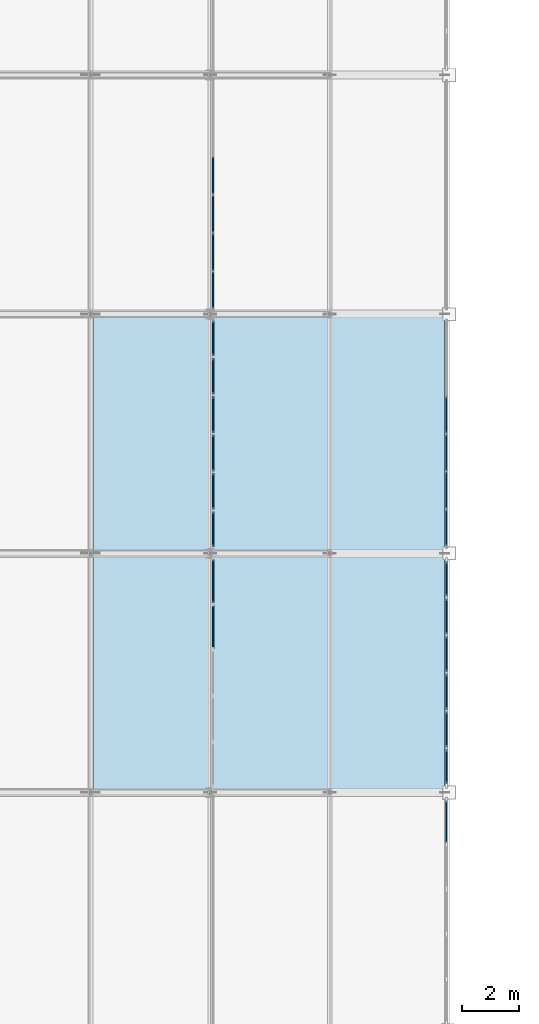
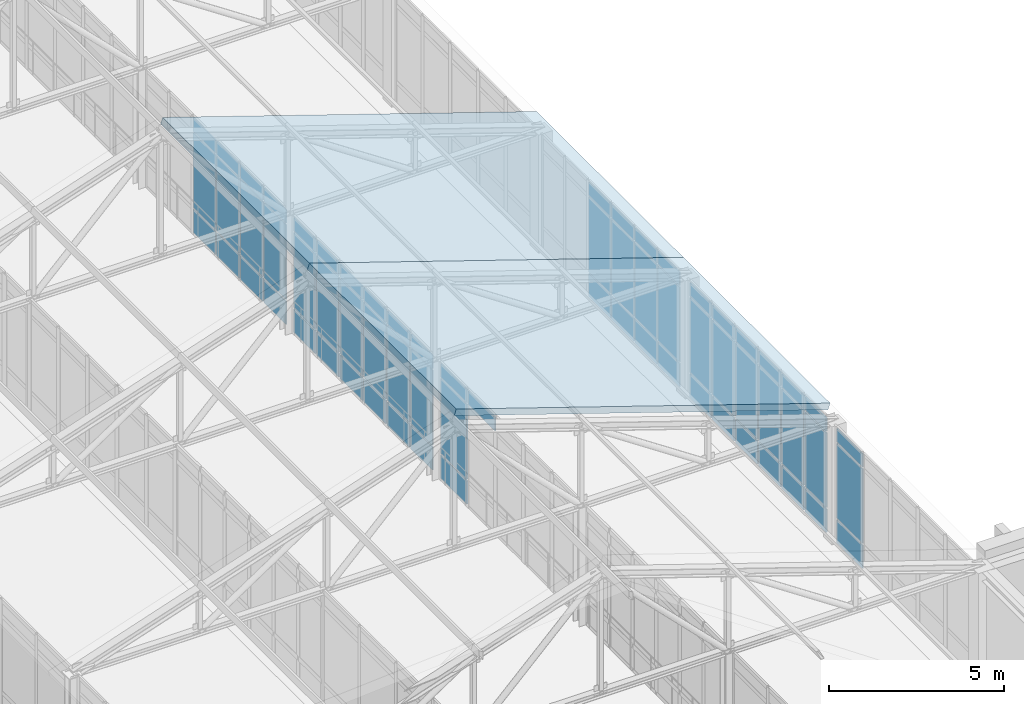
# One storey, part 118 of 192: 67 plates, 2 slabs, 6 elements without a shape of their own.
"""IFC4 building model written with IfcOpenShell, lengths in metres."""

from ifc_helpers import new_model, si_unit, direction, frame, origin, origin_2d, place, context, subcontext, project, spatial, polyline, rectangle, outline, extrude, material, layer, layer_set, type_object, element, aggregate, save


model = new_model("IFC4")

# Units and contexts
model_context = context("Model", 3, precision=1e-05, world=origin(), true_north=direction((0.0, 1.0)))
body_context = subcontext(model_context, "Body", "Model", "MODEL_VIEW")
ifc_project = project(units=[si_unit("LENGTHUNIT", "METRE"), si_unit("AREAUNIT", "SQUARE_METRE"), si_unit("VOLUMEUNIT", "CUBIC_METRE"), si_unit("PLANEANGLEUNIT", "RADIAN"), si_unit("MASSUNIT", "GRAM", prefix="KILO")], contexts=[model_context])

# Site, building, storey
site_placement = place(None, origin())
site = spatial("IfcSite", under=ifc_project, at=site_placement, CompositionType="ELEMENT")
building_placement = place(site_placement, origin())
building = spatial("IfcBuilding", under=site, at=building_placement, Name="Kveldsbrygga Polytechnic", CompositionType="ELEMENT")
storey_placement = place(building_placement, frame((0.0, 0.0, 5.43994140625)))
storey = spatial("IfcBuildingStorey", under=building, at=storey_placement, Name="L01", CompositionType="ELEMENT", Elevation=5.43994140625)

# Curtain wall, plates
ifc_material_1 = material(Name="Anodised aluminium AW-6060", Category="aluminium")
ifc_layer_1 = layer(ifc_material_1, 0.18994140625)
ifc_layer_set_1 = layer_set([ifc_layer_1], Name="Anodised aluminium AW-6060")
curtain_wall_type_1 = type_object("IfcCurtainWallType", Name="CW-REFC-G", PredefinedType="USERDEFINED", material=ifc_layer_set_1)
curtain_wall_1_placement = place(storey_placement, origin())
curtain_wall_1 = element("IfcCurtainWall", 1, at=curtain_wall_1_placement, inside=storey, type_object=curtain_wall_type_1, Name="Curtain Wall CW-L01-Y-09-03", ObjectType="UNITISED CURTAIN WALL", PredefinedType="USERDEFINED")
ifc_material_2 = material(Name="Insulated triple low-E glass", Category="glass")
ifc_layer_2 = layer(ifc_material_2, 0.035888671875)
ifc_layer_set_2 = layer_set([ifc_layer_2], Name="Insulated triple low-E glass")
plate_type_1 = type_object("IfcPlateType", Name="CW-PAN-VIS36", PredefinedType="CURTAIN_PANEL", material=ifc_layer_set_2)
plate_1_placement = place(storey_placement, frame((75.5, 32.564697265625, 0.06005859375), z_axis=(0.0, 0.0, 1.0), x_axis=(0.0, 1.0, 0.0)))
plate_1 = element("IfcPlate", 2, at=plate_1_placement, type_object=plate_type_1, Name="CW-07 panel 5.1", PredefinedType="CURTAIN_PANEL", context=body_context, shape_type="SweptSolid", body=[
    extrude(rectangle(XDim=1.470458984375, YDim=0.035888671875, at=origin_2d()), origin(), (0.0, 0.0, 1.0), 0.81005859375),
])
plate_2_placement = place(storey_placement, frame((75.5, 32.564697265625, 0.93017578125), z_axis=(0.0, 0.0, 1.0), x_axis=(0.0, 1.0, 0.0)))
plate_2 = element("IfcPlate", 3, at=plate_2_placement, type_object=plate_type_1, Name="CW-07 panel 5.2", PredefinedType="CURTAIN_PANEL", context=body_context, shape_type="SweptSolid", body=[
    extrude(rectangle(XDim=1.470458984375, YDim=0.035888671875, at=origin_2d()), origin(), (0.0, 0.0, 1.0), 2.610107421875),
])
plate_3_placement = place(storey_placement, frame((75.5, 32.564697265625, 3.60009765625), z_axis=(0.0, 0.0, 1.0), x_axis=(0.0, 1.0, 0.0)))
plate_3 = element("IfcPlate", 4, at=plate_3_placement, type_object=plate_type_1, Name="CW-07 panel 5.3", PredefinedType="CURTAIN_PANEL", context=body_context, shape_type="SweptSolid", body=[
    extrude(rectangle(XDim=1.470458984375, YDim=0.035888671875, at=origin_2d()), origin(), (0.0, 0.0, 1.0), 0.4599609375),
])
aggregate(curtain_wall_1, [plate_1, plate_2, plate_3])

curtain_wall_2_placement = place(storey_placement, origin())
curtain_wall_2 = element("IfcCurtainWall", 5, at=curtain_wall_2_placement, inside=storey, type_object=curtain_wall_type_1, Name="Curtain Wall CW-L01-Y-08-04", ObjectType="UNITISED CURTAIN WALL", PredefinedType="USERDEFINED")
plate_4_placement = place(storey_placement, frame((67.300048828125, 39.41796875, 3.60009765625), z_axis=(0.0, 0.0, 1.0), x_axis=(0.0, 1.0, 0.0)))
plate_4 = element("IfcPlate", 6, at=plate_4_placement, type_object=plate_type_1, Name="CW-07 panel 4.3", PredefinedType="CURTAIN_PANEL", context=body_context, shape_type="SweptSolid", body=[
    extrude(rectangle(XDim=1.54296875, YDim=0.035888671875, at=origin_2d()), origin(), (0.0, 0.0, 1.0), 0.4599609375),
])
plate_5_placement = place(storey_placement, frame((67.300048828125, 41.017333984375, 0.06005859375), z_axis=(0.0, 0.0, 1.0), x_axis=(0.0, 1.0, 0.0)))
plate_5 = element("IfcPlate", 7, at=plate_5_placement, type_object=plate_type_1, Name="CW-07 panel 5.1", PredefinedType="CURTAIN_PANEL", context=body_context, shape_type="SweptSolid", body=[
    extrude(rectangle(XDim=1.505615234375, YDim=0.035888671875, at=origin_2d()), origin(), (0.0, 0.0, 1.0), 0.81005859375),
])
plate_6_placement = place(storey_placement, frame((67.300048828125, 41.017333984375, 0.93017578125), z_axis=(0.0, 0.0, 1.0), x_axis=(0.0, 1.0, 0.0)))
plate_6 = element("IfcPlate", 8, at=plate_6_placement, type_object=plate_type_1, Name="CW-07 panel 5.2", PredefinedType="CURTAIN_PANEL", context=body_context, shape_type="SweptSolid", body=[
    extrude(rectangle(XDim=1.505615234375, YDim=0.035888671875, at=origin_2d()), origin(), (0.0, 0.0, 1.0), 2.610107421875),
])
plate_7_placement = place(storey_placement, frame((67.300048828125, 41.017333984375, 3.60009765625), z_axis=(0.0, 0.0, 1.0), x_axis=(0.0, 1.0, 0.0)))
plate_7 = element("IfcPlate", 9, at=plate_7_placement, type_object=plate_type_1, Name="CW-07 panel 5.3", PredefinedType="CURTAIN_PANEL", context=body_context, shape_type="SweptSolid", body=[
    extrude(rectangle(XDim=1.505615234375, YDim=0.035888671875, at=origin_2d()), origin(), (0.0, 0.0, 1.0), 0.4599609375),
])
aggregate(curtain_wall_2, [plate_4, plate_5, plate_6, plate_7])

ifc_layer_3 = layer(ifc_material_1, 0.179931640625)
ifc_layer_set_3 = layer_set([ifc_layer_3], Name="Anodised aluminium AW-6060")
curtain_wall_type_2 = type_object("IfcCurtainWallType", Name="CW-CONC-A", PredefinedType="USERDEFINED", material=ifc_layer_set_3)
curtain_wall_3_placement = place(storey_placement, origin())
curtain_wall_3 = element("IfcCurtainWall", 10, at=curtain_wall_3_placement, inside=storey, type_object=curtain_wall_type_2, Name="Curtain Wall CW-L01-Y-09-05", ObjectType="UNITISED CURTAIN WALL", PredefinedType="USERDEFINED")
plate_8_placement = place(storey_placement, frame((75.5, 42.902587890625, 0.06005859375), z_axis=(0.0, 0.0, 1.0), x_axis=(0.0, 1.0, 0.0)))
plate_8 = element("IfcPlate", 11, at=plate_8_placement, type_object=plate_type_1, Name="CW-01 panel 1.1", PredefinedType="CURTAIN_PANEL", context=body_context, shape_type="SweptSolid", body=[
    extrude(rectangle(XDim=1.235107421875, YDim=0.035888671875, at=origin_2d()), origin(), (0.0, 0.0, 1.0), 0.81005859375),
])
plate_9_placement = place(storey_placement, frame((75.5, 42.902587890625, 0.93017578125), z_axis=(0.0, 0.0, 1.0), x_axis=(0.0, 1.0, 0.0)))
plate_9 = element("IfcPlate", 12, at=plate_9_placement, type_object=plate_type_1, Name="CW-01 panel 1.2", PredefinedType="CURTAIN_PANEL", context=body_context, shape_type="SweptSolid", body=[
    extrude(rectangle(XDim=1.235107421875, YDim=0.035888671875, at=origin_2d()), origin(), (0.0, 0.0, 1.0), 2.610107421875),
])
plate_10_placement = place(storey_placement, frame((75.5, 42.902587890625, 3.60009765625), z_axis=(0.0, 0.0, 1.0), x_axis=(0.0, 1.0, 0.0)))
plate_10 = element("IfcPlate", 13, at=plate_10_placement, type_object=plate_type_1, Name="CW-01 panel 1.3", PredefinedType="CURTAIN_PANEL", context=body_context, shape_type="SweptSolid", body=[
    extrude(rectangle(XDim=1.235107421875, YDim=0.035888671875, at=origin_2d()), origin(), (0.0, 0.0, 1.0), 0.4599609375),
])
plate_11_placement = place(storey_placement, frame((75.5, 44.21240234375, 0.06005859375), z_axis=(0.0, 0.0, 1.0), x_axis=(0.0, 1.0, 0.0)))
plate_11 = element("IfcPlate", 14, at=plate_11_placement, type_object=plate_type_1, Name="CW-01 panel 2.1", PredefinedType="CURTAIN_PANEL", context=body_context, shape_type="SweptSolid", body=[
    extrude(rectangle(XDim=1.264892578125, YDim=0.035888671875, at=origin_2d()), origin(), (0.0, 0.0, 1.0), 0.81005859375),
])
plate_12_placement = place(storey_placement, frame((75.5, 44.21240234375, 0.93017578125), z_axis=(0.0, 0.0, 1.0), x_axis=(0.0, 1.0, 0.0)))
plate_12 = element("IfcPlate", 15, at=plate_12_placement, type_object=plate_type_1, Name="CW-01 panel 2.2", PredefinedType="CURTAIN_PANEL", context=body_context, shape_type="SweptSolid", body=[
    extrude(rectangle(XDim=1.264892578125, YDim=0.035888671875, at=origin_2d()), origin(), (0.0, 0.0, 1.0), 2.610107421875),
])
plate_13_placement = place(storey_placement, frame((75.5, 44.21240234375, 3.60009765625), z_axis=(0.0, 0.0, 1.0), x_axis=(0.0, 1.0, 0.0)))
plate_13 = element("IfcPlate", 16, at=plate_13_placement, type_object=plate_type_1, Name="CW-01 panel 2.3", PredefinedType="CURTAIN_PANEL", context=body_context, shape_type="SweptSolid", body=[
    extrude(rectangle(XDim=1.264892578125, YDim=0.035888671875, at=origin_2d()), origin(), (0.0, 0.0, 1.0), 0.4599609375),
])
plate_14_placement = place(storey_placement, frame((75.5, 45.53759765625, 0.06005859375), z_axis=(0.0, 0.0, 1.0), x_axis=(0.0, 1.0, 0.0)))
plate_14 = element("IfcPlate", 17, at=plate_14_placement, type_object=plate_type_1, Name="CW-01 panel 3.1", PredefinedType="CURTAIN_PANEL", context=body_context, shape_type="SweptSolid", body=[
    extrude(rectangle(XDim=1.264892578125, YDim=0.035888671875, at=origin_2d()), origin(), (0.0, 0.0, 1.0), 0.81005859375),
])
plate_15_placement = place(storey_placement, frame((75.5, 45.53759765625, 0.93017578125), z_axis=(0.0, 0.0, 1.0), x_axis=(0.0, 1.0, 0.0)))
plate_15 = element("IfcPlate", 18, at=plate_15_placement, type_object=plate_type_1, Name="CW-01 panel 3.2", PredefinedType="CURTAIN_PANEL", context=body_context, shape_type="SweptSolid", body=[
    extrude(rectangle(XDim=1.264892578125, YDim=0.035888671875, at=origin_2d()), origin(), (0.0, 0.0, 1.0), 2.610107421875),
])
plate_16_placement = place(storey_placement, frame((75.5, 45.53759765625, 3.60009765625), z_axis=(0.0, 0.0, 1.0), x_axis=(0.0, 1.0, 0.0)))
plate_16 = element("IfcPlate", 19, at=plate_16_placement, type_object=plate_type_1, Name="CW-01 panel 3.3", PredefinedType="CURTAIN_PANEL", context=body_context, shape_type="SweptSolid", body=[
    extrude(rectangle(XDim=1.264892578125, YDim=0.035888671875, at=origin_2d()), origin(), (0.0, 0.0, 1.0), 0.4599609375),
])
plate_17_placement = place(storey_placement, frame((75.5, 46.862548828125, 0.06005859375), z_axis=(0.0, 0.0, 1.0), x_axis=(0.0, 1.0, 0.0)))
plate_17 = element("IfcPlate", 20, at=plate_17_placement, type_object=plate_type_1, Name="CW-01 panel 4.1", PredefinedType="CURTAIN_PANEL", context=body_context, shape_type="SweptSolid", body=[
    extrude(rectangle(XDim=1.264892578125, YDim=0.035888671875, at=origin_2d()), origin(), (0.0, 0.0, 1.0), 0.81005859375),
])
plate_18_placement = place(storey_placement, frame((75.5, 46.862548828125, 0.93017578125), z_axis=(0.0, 0.0, 1.0), x_axis=(0.0, 1.0, 0.0)))
plate_18 = element("IfcPlate", 21, at=plate_18_placement, type_object=plate_type_1, Name="CW-01 panel 4.2", PredefinedType="CURTAIN_PANEL", context=body_context, shape_type="SweptSolid", body=[
    extrude(rectangle(XDim=1.264892578125, YDim=0.035888671875, at=origin_2d()), origin(), (0.0, 0.0, 1.0), 2.610107421875),
])
plate_19_placement = place(storey_placement, frame((75.5, 46.862548828125, 3.60009765625), z_axis=(0.0, 0.0, 1.0), x_axis=(0.0, 1.0, 0.0)))
plate_19 = element("IfcPlate", 22, at=plate_19_placement, type_object=plate_type_1, Name="CW-01 panel 4.3", PredefinedType="CURTAIN_PANEL", context=body_context, shape_type="SweptSolid", body=[
    extrude(rectangle(XDim=1.264892578125, YDim=0.035888671875, at=origin_2d()), origin(), (0.0, 0.0, 1.0), 0.4599609375),
])
aggregate(curtain_wall_3, [plate_8, plate_9, plate_10, plate_11, plate_12, plate_13, plate_14, plate_15, plate_16, plate_17, plate_18, plate_19])

curtain_wall_4_placement = place(storey_placement, origin())
curtain_wall_4 = element("IfcCurtainWall", 23, at=curtain_wall_4_placement, inside=storey, type_object=curtain_wall_type_2, Name="Curtain Wall CW-L01-Y-08-06", ObjectType="UNITISED CURTAIN WALL", PredefinedType="USERDEFINED")
plate_20_placement = place(storey_placement, frame((67.300048828125, 51.244140625, 0.06005859375), z_axis=(0.0, 0.0, 1.0), x_axis=(0.0, 1.0, 0.0)))
plate_20 = element("IfcPlate", 24, at=plate_20_placement, type_object=plate_type_1, Name="CW-01 panel 1.1", PredefinedType="CURTAIN_PANEL", context=body_context, shape_type="SweptSolid", body=[
    extrude(rectangle(XDim=1.25830078125, YDim=0.035888671875, at=origin_2d()), origin(), (0.0, 0.0, 1.0), 0.81005859375),
])
plate_21_placement = place(storey_placement, frame((67.300048828125, 51.244140625, 0.93017578125), z_axis=(0.0, 0.0, 1.0), x_axis=(0.0, 1.0, 0.0)))
plate_21 = element("IfcPlate", 25, at=plate_21_placement, type_object=plate_type_1, Name="CW-01 panel 1.2", PredefinedType="CURTAIN_PANEL", context=body_context, shape_type="SweptSolid", body=[
    extrude(rectangle(XDim=1.25830078125, YDim=0.035888671875, at=origin_2d()), origin(), (0.0, 0.0, 1.0), 2.610107421875),
])
plate_22_placement = place(storey_placement, frame((67.300048828125, 51.244140625, 3.60009765625), z_axis=(0.0, 0.0, 1.0), x_axis=(0.0, 1.0, 0.0)))
plate_22 = element("IfcPlate", 26, at=plate_22_placement, type_object=plate_type_1, Name="CW-01 panel 1.3", PredefinedType="CURTAIN_PANEL", context=body_context, shape_type="SweptSolid", body=[
    extrude(rectangle(XDim=1.25830078125, YDim=0.035888671875, at=origin_2d()), origin(), (0.0, 0.0, 1.0), 0.4599609375),
])
plate_23_placement = place(storey_placement, frame((67.300048828125, 52.577392578125, 0.06005859375), z_axis=(0.0, 0.0, 1.0), x_axis=(0.0, 1.0, 0.0)))
plate_23 = element("IfcPlate", 27, at=plate_23_placement, type_object=plate_type_1, Name="CW-01 panel 2.1", PredefinedType="CURTAIN_PANEL", context=body_context, shape_type="SweptSolid", body=[
    extrude(rectangle(XDim=1.288330078125, YDim=0.035888671875, at=origin_2d()), origin(), (0.0, 0.0, 1.0), 0.81005859375),
])
plate_24_placement = place(storey_placement, frame((67.300048828125, 52.577392578125, 0.93017578125), z_axis=(0.0, 0.0, 1.0), x_axis=(0.0, 1.0, 0.0)))
plate_24 = element("IfcPlate", 28, at=plate_24_placement, type_object=plate_type_1, Name="CW-01 panel 2.2", PredefinedType="CURTAIN_PANEL", context=body_context, shape_type="SweptSolid", body=[
    extrude(rectangle(XDim=1.288330078125, YDim=0.035888671875, at=origin_2d()), origin(), (0.0, 0.0, 1.0), 2.610107421875),
])
plate_25_placement = place(storey_placement, frame((67.300048828125, 52.577392578125, 3.60009765625), z_axis=(0.0, 0.0, 1.0), x_axis=(0.0, 1.0, 0.0)))
plate_25 = element("IfcPlate", 29, at=plate_25_placement, type_object=plate_type_1, Name="CW-01 panel 2.3", PredefinedType="CURTAIN_PANEL", context=body_context, shape_type="SweptSolid", body=[
    extrude(rectangle(XDim=1.288330078125, YDim=0.035888671875, at=origin_2d()), origin(), (0.0, 0.0, 1.0), 0.4599609375),
])
plate_26_placement = place(storey_placement, frame((67.300048828125, 53.92578125, 0.06005859375), z_axis=(0.0, 0.0, 1.0), x_axis=(0.0, 1.0, 0.0)))
plate_26 = element("IfcPlate", 30, at=plate_26_placement, type_object=plate_type_1, Name="CW-01 panel 3.1", PredefinedType="CURTAIN_PANEL", context=body_context, shape_type="SweptSolid", body=[
    extrude(rectangle(XDim=1.288330078125, YDim=0.035888671875, at=origin_2d()), origin(), (0.0, 0.0, 1.0), 0.81005859375),
])
plate_27_placement = place(storey_placement, frame((67.300048828125, 53.92578125, 0.93017578125), z_axis=(0.0, 0.0, 1.0), x_axis=(0.0, 1.0, 0.0)))
plate_27 = element("IfcPlate", 31, at=plate_27_placement, type_object=plate_type_1, Name="CW-01 panel 3.2", PredefinedType="CURTAIN_PANEL", context=body_context, shape_type="SweptSolid", body=[
    extrude(rectangle(XDim=1.288330078125, YDim=0.035888671875, at=origin_2d()), origin(), (0.0, 0.0, 1.0), 2.610107421875),
])
plate_28_placement = place(storey_placement, frame((67.300048828125, 53.92578125, 3.60009765625), z_axis=(0.0, 0.0, 1.0), x_axis=(0.0, 1.0, 0.0)))
plate_28 = element("IfcPlate", 32, at=plate_28_placement, type_object=plate_type_1, Name="CW-01 panel 3.3", PredefinedType="CURTAIN_PANEL", context=body_context, shape_type="SweptSolid", body=[
    extrude(rectangle(XDim=1.288330078125, YDim=0.035888671875, at=origin_2d()), origin(), (0.0, 0.0, 1.0), 0.4599609375),
])
plate_29_placement = place(storey_placement, frame((67.300048828125, 55.274169921875, 0.06005859375), z_axis=(0.0, 0.0, 1.0), x_axis=(0.0, 1.0, 0.0)))
plate_29 = element("IfcPlate", 33, at=plate_29_placement, type_object=plate_type_1, Name="CW-01 panel 4.1", PredefinedType="CURTAIN_PANEL", context=body_context, shape_type="SweptSolid", body=[
    extrude(rectangle(XDim=1.288330078125, YDim=0.035888671875, at=origin_2d()), origin(), (0.0, 0.0, 1.0), 0.81005859375),
])
plate_30_placement = place(storey_placement, frame((67.300048828125, 55.274169921875, 0.93017578125), z_axis=(0.0, 0.0, 1.0), x_axis=(0.0, 1.0, 0.0)))
plate_30 = element("IfcPlate", 34, at=plate_30_placement, type_object=plate_type_1, Name="CW-01 panel 4.2", PredefinedType="CURTAIN_PANEL", context=body_context, shape_type="SweptSolid", body=[
    extrude(rectangle(XDim=1.288330078125, YDim=0.035888671875, at=origin_2d()), origin(), (0.0, 0.0, 1.0), 2.610107421875),
])
plate_31_placement = place(storey_placement, frame((67.300048828125, 55.274169921875, 3.60009765625), z_axis=(0.0, 0.0, 1.0), x_axis=(0.0, 1.0, 0.0)))
plate_31 = element("IfcPlate", 35, at=plate_31_placement, type_object=plate_type_1, Name="CW-01 panel 4.3", PredefinedType="CURTAIN_PANEL", context=body_context, shape_type="SweptSolid", body=[
    extrude(rectangle(XDim=1.288330078125, YDim=0.035888671875, at=origin_2d()), origin(), (0.0, 0.0, 1.0), 0.4599609375),
])
aggregate(curtain_wall_4, [plate_20, plate_21, plate_22, plate_23, plate_24, plate_25, plate_26, plate_27, plate_28, plate_29, plate_30, plate_31])

ifc_layer_4 = layer(ifc_material_1, 0.2099609375)
ifc_layer_set_4 = layer_set([ifc_layer_4], Name="Anodised aluminium AW-6060")
curtain_wall_type_3 = type_object("IfcCurtainWallType", Name="CW-LIBR-H", PredefinedType="USERDEFINED", material=ifc_layer_set_4)
curtain_wall_5_placement = place(storey_placement, origin())
curtain_wall_5 = element("IfcCurtainWall", 36, at=curtain_wall_5_placement, inside=storey, type_object=curtain_wall_type_3, Name="Curtain Wall CW-L01-Y-09-04", ObjectType="UNITISED CURTAIN WALL", PredefinedType="USERDEFINED")
ifc_layer_5 = layer(ifc_material_2, 0.0419921875)
ifc_layer_set_5 = layer_set([ifc_layer_5], Name="Insulated triple low-E glass")
plate_type_2 = type_object("IfcPlateType", Name="CW-PAN-VIS42", PredefinedType="CURTAIN_PANEL", material=ifc_layer_set_5)
plate_32_placement = place(storey_placement, frame((75.5, 34.50634765625, 0.06005859375), z_axis=(0.0, 0.0, 1.0), x_axis=(0.0, 1.0, 0.0)))
plate_32 = element("IfcPlate", 37, at=plate_32_placement, type_object=plate_type_2, Name="CW-08 panel 1.1", PredefinedType="CURTAIN_PANEL", context=body_context, shape_type="SweptSolid", body=[
    extrude(rectangle(XDim=1.21240234375, YDim=0.0419921875, at=origin_2d()), origin(), (0.0, 0.0, 1.0), 0.81005859375),
])
plate_33_placement = place(storey_placement, frame((75.5, 34.50634765625, 0.93017578125), z_axis=(0.0, 0.0, 1.0), x_axis=(0.0, 1.0, 0.0)))
plate_33 = element("IfcPlate", 38, at=plate_33_placement, type_object=plate_type_2, Name="CW-08 panel 1.2", PredefinedType="CURTAIN_PANEL", context=body_context, shape_type="SweptSolid", body=[
    extrude(rectangle(XDim=1.21240234375, YDim=0.0419921875, at=origin_2d()), origin(), (0.0, 0.0, 1.0), 2.610107421875),
])
plate_34_placement = place(storey_placement, frame((75.5, 34.50634765625, 3.60009765625), z_axis=(0.0, 0.0, 1.0), x_axis=(0.0, 1.0, 0.0)))
plate_34 = element("IfcPlate", 39, at=plate_34_placement, type_object=plate_type_2, Name="CW-08 panel 1.3", PredefinedType="CURTAIN_PANEL", context=body_context, shape_type="SweptSolid", body=[
    extrude(rectangle(XDim=1.21240234375, YDim=0.0419921875, at=origin_2d()), origin(), (0.0, 0.0, 1.0), 0.4599609375),
])
plate_35_placement = place(storey_placement, frame((75.5, 35.8125, 0.06005859375), z_axis=(0.0, 0.0, 1.0), x_axis=(0.0, 1.0, 0.0)))
plate_35 = element("IfcPlate", 40, at=plate_35_placement, type_object=plate_type_2, Name="CW-08 panel 2.1", PredefinedType="CURTAIN_PANEL", context=body_context, shape_type="SweptSolid", body=[
    extrude(rectangle(XDim=1.25, YDim=0.0419921875, at=origin_2d()), origin(), (0.0, 0.0, 1.0), 0.81005859375),
])
plate_36_placement = place(storey_placement, frame((75.5, 35.8125, 0.93017578125), z_axis=(0.0, 0.0, 1.0), x_axis=(0.0, 1.0, 0.0)))
plate_36 = element("IfcPlate", 41, at=plate_36_placement, type_object=plate_type_2, Name="CW-08 panel 2.2", PredefinedType="CURTAIN_PANEL", context=body_context, shape_type="SweptSolid", body=[
    extrude(rectangle(XDim=1.25, YDim=0.0419921875, at=origin_2d()), origin(), (0.0, 0.0, 1.0), 2.610107421875),
])
plate_37_placement = place(storey_placement, frame((75.5, 35.8125, 3.60009765625), z_axis=(0.0, 0.0, 1.0), x_axis=(0.0, 1.0, 0.0)))
plate_37 = element("IfcPlate", 42, at=plate_37_placement, type_object=plate_type_2, Name="CW-08 panel 2.3", PredefinedType="CURTAIN_PANEL", context=body_context, shape_type="SweptSolid", body=[
    extrude(rectangle(XDim=1.25, YDim=0.0419921875, at=origin_2d()), origin(), (0.0, 0.0, 1.0), 0.4599609375),
])
plate_38_placement = place(storey_placement, frame((75.5, 37.137451171875, 0.06005859375), z_axis=(0.0, 0.0, 1.0), x_axis=(0.0, 1.0, 0.0)))
plate_38 = element("IfcPlate", 43, at=plate_38_placement, type_object=plate_type_2, Name="CW-08 panel 3.1", PredefinedType="CURTAIN_PANEL", context=body_context, shape_type="SweptSolid", body=[
    extrude(rectangle(XDim=1.25, YDim=0.0419921875, at=origin_2d()), origin(), (0.0, 0.0, 1.0), 0.81005859375),
])
plate_39_placement = place(storey_placement, frame((75.5, 37.137451171875, 0.93017578125), z_axis=(0.0, 0.0, 1.0), x_axis=(0.0, 1.0, 0.0)))
plate_39 = element("IfcPlate", 44, at=plate_39_placement, type_object=plate_type_2, Name="CW-08 panel 3.2", PredefinedType="CURTAIN_PANEL", context=body_context, shape_type="SweptSolid", body=[
    extrude(rectangle(XDim=1.25, YDim=0.0419921875, at=origin_2d()), origin(), (0.0, 0.0, 1.0), 2.610107421875),
])
plate_40_placement = place(storey_placement, frame((75.5, 37.137451171875, 3.60009765625), z_axis=(0.0, 0.0, 1.0), x_axis=(0.0, 1.0, 0.0)))
plate_40 = element("IfcPlate", 45, at=plate_40_placement, type_object=plate_type_2, Name="CW-08 panel 3.3", PredefinedType="CURTAIN_PANEL", context=body_context, shape_type="SweptSolid", body=[
    extrude(rectangle(XDim=1.25, YDim=0.0419921875, at=origin_2d()), origin(), (0.0, 0.0, 1.0), 0.4599609375),
])
plate_41_placement = place(storey_placement, frame((75.5, 38.46240234375, 0.06005859375), z_axis=(0.0, 0.0, 1.0), x_axis=(0.0, 1.0, 0.0)))
plate_41 = element("IfcPlate", 46, at=plate_41_placement, type_object=plate_type_2, Name="CW-08 panel 4.1", PredefinedType="CURTAIN_PANEL", context=body_context, shape_type="SweptSolid", body=[
    extrude(rectangle(XDim=1.25, YDim=0.0419921875, at=origin_2d()), origin(), (0.0, 0.0, 1.0), 0.81005859375),
])
plate_42_placement = place(storey_placement, frame((75.5, 38.46240234375, 0.93017578125), z_axis=(0.0, 0.0, 1.0), x_axis=(0.0, 1.0, 0.0)))
plate_42 = element("IfcPlate", 47, at=plate_42_placement, type_object=plate_type_2, Name="CW-08 panel 4.2", PredefinedType="CURTAIN_PANEL", context=body_context, shape_type="SweptSolid", body=[
    extrude(rectangle(XDim=1.25, YDim=0.0419921875, at=origin_2d()), origin(), (0.0, 0.0, 1.0), 2.610107421875),
])
plate_43_placement = place(storey_placement, frame((75.5, 38.46240234375, 3.60009765625), z_axis=(0.0, 0.0, 1.0), x_axis=(0.0, 1.0, 0.0)))
plate_43 = element("IfcPlate", 48, at=plate_43_placement, type_object=plate_type_2, Name="CW-08 panel 4.3", PredefinedType="CURTAIN_PANEL", context=body_context, shape_type="SweptSolid", body=[
    extrude(rectangle(XDim=1.25, YDim=0.0419921875, at=origin_2d()), origin(), (0.0, 0.0, 1.0), 0.4599609375),
])
plate_44_placement = place(storey_placement, frame((75.5, 39.78759765625, 0.06005859375), z_axis=(0.0, 0.0, 1.0), x_axis=(0.0, 1.0, 0.0)))
plate_44 = element("IfcPlate", 49, at=plate_44_placement, type_object=plate_type_2, Name="CW-08 panel 5.1", PredefinedType="CURTAIN_PANEL", context=body_context, shape_type="SweptSolid", body=[
    extrude(rectangle(XDim=1.25, YDim=0.0419921875, at=origin_2d()), origin(), (0.0, 0.0, 1.0), 0.81005859375),
])
plate_45_placement = place(storey_placement, frame((75.5, 39.78759765625, 0.93017578125), z_axis=(0.0, 0.0, 1.0), x_axis=(0.0, 1.0, 0.0)))
plate_45 = element("IfcPlate", 50, at=plate_45_placement, type_object=plate_type_2, Name="CW-08 panel 5.2", PredefinedType="CURTAIN_PANEL", context=body_context, shape_type="SweptSolid", body=[
    extrude(rectangle(XDim=1.25, YDim=0.0419921875, at=origin_2d()), origin(), (0.0, 0.0, 1.0), 2.610107421875),
])
plate_46_placement = place(storey_placement, frame((75.5, 39.78759765625, 3.60009765625), z_axis=(0.0, 0.0, 1.0), x_axis=(0.0, 1.0, 0.0)))
plate_46 = element("IfcPlate", 51, at=plate_46_placement, type_object=plate_type_2, Name="CW-08 panel 5.3", PredefinedType="CURTAIN_PANEL", context=body_context, shape_type="SweptSolid", body=[
    extrude(rectangle(XDim=1.25, YDim=0.0419921875, at=origin_2d()), origin(), (0.0, 0.0, 1.0), 0.4599609375),
])
plate_47_placement = place(storey_placement, frame((75.5, 41.09375, 0.06005859375), z_axis=(0.0, 0.0, 1.0), x_axis=(0.0, 1.0, 0.0)))
plate_47 = element("IfcPlate", 52, at=plate_47_placement, type_object=plate_type_2, Name="CW-08 panel 6.1", PredefinedType="CURTAIN_PANEL", context=body_context, shape_type="SweptSolid", body=[
    extrude(rectangle(XDim=1.21240234375, YDim=0.0419921875, at=origin_2d()), origin(), (0.0, 0.0, 1.0), 0.81005859375),
])
plate_48_placement = place(storey_placement, frame((75.5, 41.09375, 0.93017578125), z_axis=(0.0, 0.0, 1.0), x_axis=(0.0, 1.0, 0.0)))
plate_48 = element("IfcPlate", 53, at=plate_48_placement, type_object=plate_type_2, Name="CW-08 panel 6.2", PredefinedType="CURTAIN_PANEL", context=body_context, shape_type="SweptSolid", body=[
    extrude(rectangle(XDim=1.21240234375, YDim=0.0419921875, at=origin_2d()), origin(), (0.0, 0.0, 1.0), 2.610107421875),
])
plate_49_placement = place(storey_placement, frame((75.5, 41.09375, 3.60009765625), z_axis=(0.0, 0.0, 1.0), x_axis=(0.0, 1.0, 0.0)))
plate_49 = element("IfcPlate", 54, at=plate_49_placement, type_object=plate_type_2, Name="CW-08 panel 6.3", PredefinedType="CURTAIN_PANEL", context=body_context, shape_type="SweptSolid", body=[
    extrude(rectangle(XDim=1.21240234375, YDim=0.0419921875, at=origin_2d()), origin(), (0.0, 0.0, 1.0), 0.4599609375),
])
aggregate(curtain_wall_5, [plate_32, plate_33, plate_34, plate_35, plate_36, plate_37, plate_38, plate_39, plate_40, plate_41, plate_42, plate_43, plate_44, plate_45, plate_46, plate_47, plate_48, plate_49])

curtain_wall_6_placement = place(storey_placement, origin())
curtain_wall_6 = element("IfcCurtainWall", 55, at=curtain_wall_6_placement, inside=storey, type_object=curtain_wall_type_3, Name="Curtain Wall CW-L01-Y-08-05", ObjectType="UNITISED CURTAIN WALL", PredefinedType="USERDEFINED")
plate_50_placement = place(storey_placement, frame((67.300048828125, 42.847900390625, 0.06005859375), z_axis=(0.0, 0.0, 1.0), x_axis=(0.0, 1.0, 0.0)))
plate_50 = element("IfcPlate", 56, at=plate_50_placement, type_object=plate_type_2, Name="CW-08 panel 1.1", PredefinedType="CURTAIN_PANEL", context=body_context, shape_type="SweptSolid", body=[
    extrude(rectangle(XDim=1.23583984375, YDim=0.0419921875, at=origin_2d()), origin(), (0.0, 0.0, 1.0), 0.81005859375),
])
plate_51_placement = place(storey_placement, frame((67.300048828125, 42.847900390625, 0.93017578125), z_axis=(0.0, 0.0, 1.0), x_axis=(0.0, 1.0, 0.0)))
plate_51 = element("IfcPlate", 57, at=plate_51_placement, type_object=plate_type_2, Name="CW-08 panel 1.2", PredefinedType="CURTAIN_PANEL", context=body_context, shape_type="SweptSolid", body=[
    extrude(rectangle(XDim=1.23583984375, YDim=0.0419921875, at=origin_2d()), origin(), (0.0, 0.0, 1.0), 2.610107421875),
])
plate_52_placement = place(storey_placement, frame((67.300048828125, 42.847900390625, 3.60009765625), z_axis=(0.0, 0.0, 1.0), x_axis=(0.0, 1.0, 0.0)))
plate_52 = element("IfcPlate", 58, at=plate_52_placement, type_object=plate_type_2, Name="CW-08 panel 1.3", PredefinedType="CURTAIN_PANEL", context=body_context, shape_type="SweptSolid", body=[
    extrude(rectangle(XDim=1.23583984375, YDim=0.0419921875, at=origin_2d()), origin(), (0.0, 0.0, 1.0), 0.4599609375),
])
plate_53_placement = place(storey_placement, frame((67.300048828125, 44.177490234375, 0.06005859375), z_axis=(0.0, 0.0, 1.0), x_axis=(0.0, 1.0, 0.0)))
plate_53 = element("IfcPlate", 59, at=plate_53_placement, type_object=plate_type_2, Name="CW-08 panel 2.1", PredefinedType="CURTAIN_PANEL", context=body_context, shape_type="SweptSolid", body=[
    extrude(rectangle(XDim=1.2734375, YDim=0.0419921875, at=origin_2d()), origin(), (0.0, 0.0, 1.0), 0.81005859375),
])
plate_54_placement = place(storey_placement, frame((67.300048828125, 44.177490234375, 0.93017578125), z_axis=(0.0, 0.0, 1.0), x_axis=(0.0, 1.0, 0.0)))
plate_54 = element("IfcPlate", 60, at=plate_54_placement, type_object=plate_type_2, Name="CW-08 panel 2.2", PredefinedType="CURTAIN_PANEL", context=body_context, shape_type="SweptSolid", body=[
    extrude(rectangle(XDim=1.2734375, YDim=0.0419921875, at=origin_2d()), origin(), (0.0, 0.0, 1.0), 2.610107421875),
])
plate_55_placement = place(storey_placement, frame((67.300048828125, 44.177490234375, 3.60009765625), z_axis=(0.0, 0.0, 1.0), x_axis=(0.0, 1.0, 0.0)))
plate_55 = element("IfcPlate", 61, at=plate_55_placement, type_object=plate_type_2, Name="CW-08 panel 2.3", PredefinedType="CURTAIN_PANEL", context=body_context, shape_type="SweptSolid", body=[
    extrude(rectangle(XDim=1.2734375, YDim=0.0419921875, at=origin_2d()), origin(), (0.0, 0.0, 1.0), 0.4599609375),
])
plate_56_placement = place(storey_placement, frame((67.300048828125, 45.52587890625, 0.06005859375), z_axis=(0.0, 0.0, 1.0), x_axis=(0.0, 1.0, 0.0)))
plate_56 = element("IfcPlate", 62, at=plate_56_placement, type_object=plate_type_2, Name="CW-08 panel 3.1", PredefinedType="CURTAIN_PANEL", context=body_context, shape_type="SweptSolid", body=[
    extrude(rectangle(XDim=1.2734375, YDim=0.0419921875, at=origin_2d()), origin(), (0.0, 0.0, 1.0), 0.81005859375),
])
plate_57_placement = place(storey_placement, frame((67.300048828125, 45.52587890625, 0.93017578125), z_axis=(0.0, 0.0, 1.0), x_axis=(0.0, 1.0, 0.0)))
plate_57 = element("IfcPlate", 63, at=plate_57_placement, type_object=plate_type_2, Name="CW-08 panel 3.2", PredefinedType="CURTAIN_PANEL", context=body_context, shape_type="SweptSolid", body=[
    extrude(rectangle(XDim=1.2734375, YDim=0.0419921875, at=origin_2d()), origin(), (0.0, 0.0, 1.0), 2.610107421875),
])
plate_58_placement = place(storey_placement, frame((67.300048828125, 45.52587890625, 3.60009765625), z_axis=(0.0, 0.0, 1.0), x_axis=(0.0, 1.0, 0.0)))
plate_58 = element("IfcPlate", 64, at=plate_58_placement, type_object=plate_type_2, Name="CW-08 panel 3.3", PredefinedType="CURTAIN_PANEL", context=body_context, shape_type="SweptSolid", body=[
    extrude(rectangle(XDim=1.2734375, YDim=0.0419921875, at=origin_2d()), origin(), (0.0, 0.0, 1.0), 0.4599609375),
])
plate_59_placement = place(storey_placement, frame((67.300048828125, 46.874267578125, 0.06005859375), z_axis=(0.0, 0.0, 1.0), x_axis=(0.0, 1.0, 0.0)))
plate_59 = element("IfcPlate", 65, at=plate_59_placement, type_object=plate_type_2, Name="CW-08 panel 4.1", PredefinedType="CURTAIN_PANEL", context=body_context, shape_type="SweptSolid", body=[
    extrude(rectangle(XDim=1.2734375, YDim=0.0419921875, at=origin_2d()), origin(), (0.0, 0.0, 1.0), 0.81005859375),
])
plate_60_placement = place(storey_placement, frame((67.300048828125, 46.874267578125, 0.93017578125), z_axis=(0.0, 0.0, 1.0), x_axis=(0.0, 1.0, 0.0)))
plate_60 = element("IfcPlate", 66, at=plate_60_placement, type_object=plate_type_2, Name="CW-08 panel 4.2", PredefinedType="CURTAIN_PANEL", context=body_context, shape_type="SweptSolid", body=[
    extrude(rectangle(XDim=1.2734375, YDim=0.0419921875, at=origin_2d()), origin(), (0.0, 0.0, 1.0), 2.610107421875),
])
plate_61_placement = place(storey_placement, frame((67.300048828125, 46.874267578125, 3.60009765625), z_axis=(0.0, 0.0, 1.0), x_axis=(0.0, 1.0, 0.0)))
plate_61 = element("IfcPlate", 67, at=plate_61_placement, type_object=plate_type_2, Name="CW-08 panel 4.3", PredefinedType="CURTAIN_PANEL", context=body_context, shape_type="SweptSolid", body=[
    extrude(rectangle(XDim=1.2734375, YDim=0.0419921875, at=origin_2d()), origin(), (0.0, 0.0, 1.0), 0.4599609375),
])
plate_62_placement = place(storey_placement, frame((67.300048828125, 48.222412109375, 0.06005859375), z_axis=(0.0, 0.0, 1.0), x_axis=(0.0, 1.0, 0.0)))
plate_62 = element("IfcPlate", 68, at=plate_62_placement, type_object=plate_type_2, Name="CW-08 panel 5.1", PredefinedType="CURTAIN_PANEL", context=body_context, shape_type="SweptSolid", body=[
    extrude(rectangle(XDim=1.2734375, YDim=0.0419921875, at=origin_2d()), origin(), (0.0, 0.0, 1.0), 0.81005859375),
])
plate_63_placement = place(storey_placement, frame((67.300048828125, 48.222412109375, 0.93017578125), z_axis=(0.0, 0.0, 1.0), x_axis=(0.0, 1.0, 0.0)))
plate_63 = element("IfcPlate", 69, at=plate_63_placement, type_object=plate_type_2, Name="CW-08 panel 5.2", PredefinedType="CURTAIN_PANEL", context=body_context, shape_type="SweptSolid", body=[
    extrude(rectangle(XDim=1.2734375, YDim=0.0419921875, at=origin_2d()), origin(), (0.0, 0.0, 1.0), 2.610107421875),
])
plate_64_placement = place(storey_placement, frame((67.300048828125, 48.222412109375, 3.60009765625), z_axis=(0.0, 0.0, 1.0), x_axis=(0.0, 1.0, 0.0)))
plate_64 = element("IfcPlate", 70, at=plate_64_placement, type_object=plate_type_2, Name="CW-08 panel 5.3", PredefinedType="CURTAIN_PANEL", context=body_context, shape_type="SweptSolid", body=[
    extrude(rectangle(XDim=1.2734375, YDim=0.0419921875, at=origin_2d()), origin(), (0.0, 0.0, 1.0), 0.4599609375),
])
plate_65_placement = place(storey_placement, frame((67.300048828125, 49.552001953125, 0.06005859375), z_axis=(0.0, 0.0, 1.0), x_axis=(0.0, 1.0, 0.0)))
plate_65 = element("IfcPlate", 71, at=plate_65_placement, type_object=plate_type_2, Name="CW-08 panel 6.1", PredefinedType="CURTAIN_PANEL", context=body_context, shape_type="SweptSolid", body=[
    extrude(rectangle(XDim=1.23583984375, YDim=0.0419921875, at=origin_2d()), origin(), (0.0, 0.0, 1.0), 0.81005859375),
])
plate_66_placement = place(storey_placement, frame((67.300048828125, 49.552001953125, 0.93017578125), z_axis=(0.0, 0.0, 1.0), x_axis=(0.0, 1.0, 0.0)))
plate_66 = element("IfcPlate", 72, at=plate_66_placement, type_object=plate_type_2, Name="CW-08 panel 6.2", PredefinedType="CURTAIN_PANEL", context=body_context, shape_type="SweptSolid", body=[
    extrude(rectangle(XDim=1.23583984375, YDim=0.0419921875, at=origin_2d()), origin(), (0.0, 0.0, 1.0), 2.610107421875),
])
plate_67_placement = place(storey_placement, frame((67.300048828125, 49.552001953125, 3.60009765625), z_axis=(0.0, 0.0, 1.0), x_axis=(0.0, 1.0, 0.0)))
plate_67 = element("IfcPlate", 73, at=plate_67_placement, type_object=plate_type_2, Name="CW-08 panel 6.3", PredefinedType="CURTAIN_PANEL", context=body_context, shape_type="SweptSolid", body=[
    extrude(rectangle(XDim=1.23583984375, YDim=0.0419921875, at=origin_2d()), origin(), (0.0, 0.0, 1.0), 0.4599609375),
])
aggregate(curtain_wall_6, [plate_50, plate_51, plate_52, plate_53, plate_54, plate_55, plate_56, plate_57, plate_58, plate_59, plate_60, plate_61, plate_62, plate_63, plate_64, plate_65, plate_66, plate_67])

# Slabs
ifc_material_3 = material(Name="Concrete C35/45", Category="concrete")
ifc_layer_6 = layer(ifc_material_3, 0.219970703125)
ifc_layer_set_6 = layer_set([ifc_layer_6], Name="Concrete C35/45")
slab_type = type_object("IfcSlabType", Name="SLB-ROOF-220", PredefinedType="ROOF", material=ifc_layer_set_6)
for number, where, z_axis, x_axis, name in (
    (74, (63.089599609375, 33.60009765625, 8.896240234375), (0.31622213995, 0.0, 0.948685173388), (0.948685173388, 0.0, -0.31622213995), "Pitched Roof Slab V5C-RSLB-4-2"),
    (75, (63.089599609375, 42.0, 8.896240234375), (0.31622213995, 0.0, 0.948685173388), (0.948685173388, 0.0, -0.31622213995), "Pitched Roof Slab V5C-RSLB-5-2"),
):
    element("IfcSlab", number, at=place(storey_placement, frame(where, z_axis=z_axis, x_axis=x_axis)), inside=storey, type_object=slab_type, Name=name, PredefinedType="ROOF", context=body_context, shape_type="SweptSolid", body=[
        extrude(outline(polyline([(0.0, 0.0), (13.018377585447984, 0.0), (13.018377585447984, 8.39990234375), (0.0, 8.39990234375), (0.0, 0.0)])), origin(), (0.0, 0.0, -1.0), 0.219970703125),
    ])

save(model, "model.ifc")
